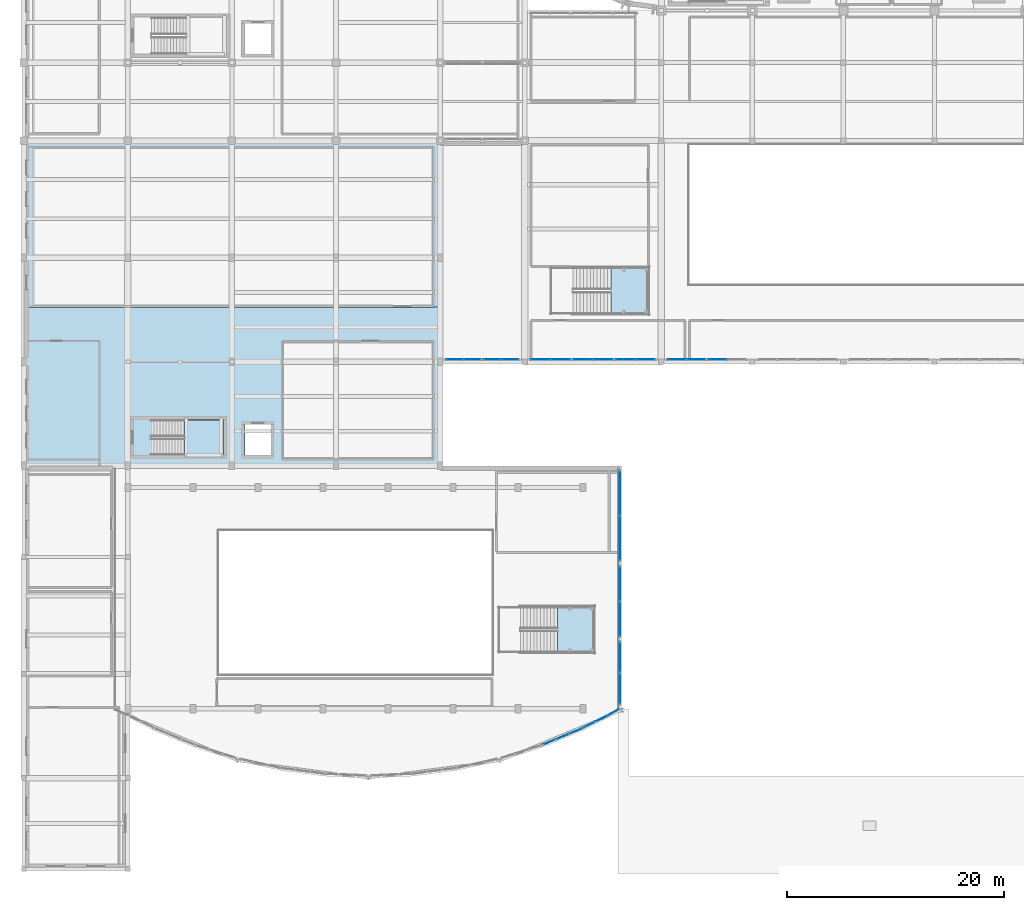
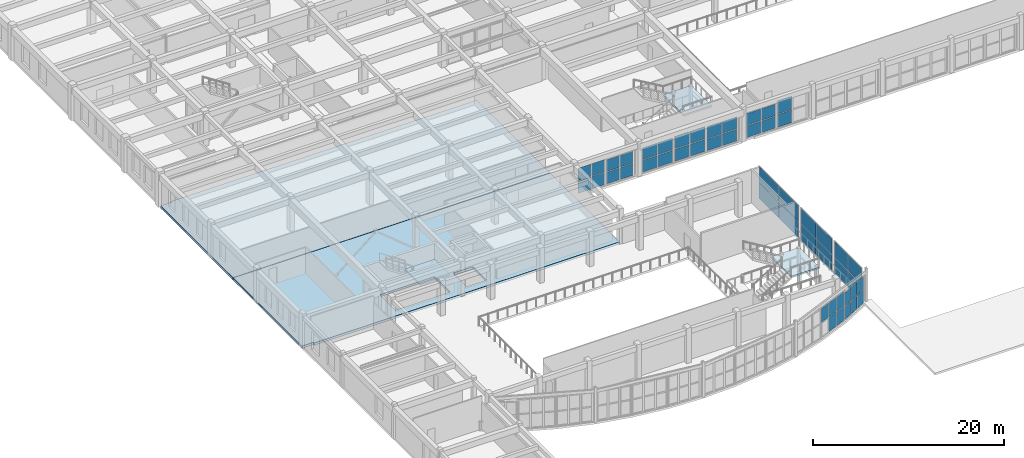
# One storey, part 54 of 92: 49 plates, 5 slabs, 15 elements without a shape of their own.
"""IFC4 building model written with IfcOpenShell, lengths in metres."""

from ifc_helpers import new_model, si_unit, direction, frame, origin, origin_2d, place, context, subcontext, project, spatial, polyline, rectangle, outline, extrude, material, layer, layer_set, type_object, element, aggregate, save


model = new_model("IFC4")

# Units and contexts
model_context = context("Model", 3, precision=1e-05, world=origin(), true_north=direction((0.0, 1.0)))
body_context = subcontext(model_context, "Body", "Model", "MODEL_VIEW")
ifc_project = project(units=[si_unit("LENGTHUNIT", "METRE"), si_unit("AREAUNIT", "SQUARE_METRE"), si_unit("VOLUMEUNIT", "CUBIC_METRE"), si_unit("PLANEANGLEUNIT", "RADIAN"), si_unit("MASSUNIT", "GRAM", prefix="KILO")], contexts=[model_context])

# Site, building, storey
site_placement = place(None, origin())
site = spatial("IfcSite", under=ifc_project, at=site_placement, CompositionType="ELEMENT")
building_placement = place(site_placement, origin())
building = spatial("IfcBuilding", under=site, at=building_placement, Name="Tarnavel Promenade Courthouse", CompositionType="ELEMENT")
storey_placement = place(building_placement, frame((0.0, 0.0, 5.39990234375)))
storey = spatial("IfcBuildingStorey", under=building, at=storey_placement, Name="L02", CompositionType="ELEMENT", Elevation=5.39990234375)

# Stair, slab
ifc_material_1 = material(Name="Concrete C35/45", Category="concrete")
stair_type_1 = type_object("IfcStairType", Name="Concrete C35/45 Half-Turn Stair STR-21 (2000W-310G-24R)", PredefinedType="HALF_TURN_STAIR", material=ifc_material_1)
stair_1_placement = place(storey_placement, origin())
stair_1 = element("IfcStair", 1, at=stair_1_placement, inside=storey, type_object=stair_type_1, Name="L02 Public Hall Gallery Stair", PredefinedType="HALF_TURN_STAIR")
ifc_layer_1 = layer(ifc_material_1, 0.195068359375)
ifc_layer_set_1 = layer_set([ifc_layer_1], Name="Concrete C35/45")
slab_type_1 = type_object("IfcSlabType", Name="Concrete C35/45 Stair Landing SLB-LND-195 (195 mm)", PredefinedType="LANDING", material=ifc_layer_set_1)
slab_1_placement = place(storey_placement, frame((0.0, 0.0, 2.050048828125)))
slab_1 = element("IfcSlab", 2, at=slab_1_placement, type_object=slab_type_1, Name="ST-09 landing 1", PredefinedType="LANDING", context=body_context, shape_type="SweptSolid", body=[
    extrude(outline(polyline([(49.2099609375, 20.0), (52.60009765625, 20.0), (52.60009765625, 24.199951171875), (49.2099609375, 24.199951171875), (49.2099609375, 20.0)])), origin(), (0.0, 0.0, 1.0), 0.199951171875),
])
aggregate(stair_1, [slab_1])

stair_type_2 = type_object("IfcStairType", Name="Concrete C35/45 Half-Turn Stair STR-23 (2050W-320G-24R)", PredefinedType="HALF_TURN_STAIR", material=ifc_material_1)
stair_2_placement = place(storey_placement, origin())
stair_2 = element("IfcStair", 3, at=stair_2_placement, inside=storey, type_object=stair_type_2, Name="L02 Winter-Garden Concourse Monumental Stair", PredefinedType="HALF_TURN_STAIR")
slab_2_placement = place(storey_placement, frame((0.0, 0.0, 2.050048828125)))
slab_2 = element("IfcSlab", 4, at=slab_2_placement, type_object=slab_type_1, Name="ST-10 landing 1", PredefinedType="LANDING", context=body_context, shape_type="SweptSolid", body=[
    extrude(outline(polyline([(54.169921875, 51.199951171875), (57.60009765625, 51.199951171875), (57.60009765625, 55.5), (54.169921875, 55.5), (54.169921875, 51.199951171875)])), origin(), (0.0, 0.0, 1.0), 0.199951171875),
])
aggregate(stair_2, [slab_2])

stair_type_3 = type_object("IfcStairType", Name="Concrete C35/45 Half-Turn Stair STR-14 (1520W-280G-24R)", PredefinedType="HALF_TURN_STAIR", material=ifc_material_1)
stair_3_placement = place(storey_placement, origin())
stair_3 = element("IfcStair", 5, at=stair_3_placement, inside=storey, type_object=stair_type_3, Name="L02 Law Library Exit Stair", PredefinedType="HALF_TURN_STAIR")
ifc_layer_2 = layer(ifc_material_1, 0.205078125)
ifc_layer_set_2 = layer_set([ifc_layer_2], Name="Concrete C35/45")
slab_type_2 = type_object("IfcSlabType", Name="Concrete C35/45 Stair Landing SLB-LND-205 (205 mm)", PredefinedType="LANDING", material=ifc_layer_set_2)
slab_3_placement = place(storey_placement, frame((0.0, 0.0, 2.050048828125)))
slab_3 = element("IfcSlab", 6, at=slab_3_placement, type_object=slab_type_2, Name="ST-05 landing 1", PredefinedType="LANDING", context=body_context, shape_type="SweptSolid", body=[
    extrude(outline(polyline([(14.800048828125, 38.199951171875), (18.39990234375, 38.199951171875), (18.39990234375, 41.43994140625), (14.800048828125, 41.43994140625), (14.800048828125, 38.199951171875)])), origin(), (0.0, 0.0, 1.0), 0.199951171875),
])
aggregate(stair_3, [slab_3])

# Slabs
ifc_material_2 = material(Name="Concrete C40/50", Category="concrete")
ifc_layer_3 = layer(ifc_material_2, 0.300048828125)
ifc_layer_set_3 = layer_set([ifc_layer_3], Name="Concrete C40/50")
slab_type_3 = type_object("IfcSlabType", Name="Concrete C40/50 SLB-STK-300 (300 mm)", PredefinedType="FLOOR", material=ifc_layer_set_3)
slab_4_placement = place(storey_placement, frame((0.0, 0.0, -0.2998046875)))
element("IfcSlab", 7, at=slab_4_placement, inside=storey, type_object=slab_type_3, Name="L02 Law Library S Heavy Stack Slab", PredefinedType="FLOOR", context=body_context, shape_type="SweptSolid", body=[
    extrude(outline(polyline([(0.0, 37.39990234375), (1.39990234375, 37.39990234375), (1.39990234375, 37.239990234375), (38.3798828125, 37.239990234375), (38.3798828125, 51.800048828125), (0.0, 51.800048828125), (0.0, 37.39990234375)]), holes=[polyline([(11.764892578125, 38.199951171875), (18.39990234375, 38.199951171875), (18.39990234375, 41.43994140625), (11.764892578125, 41.43994140625), (11.764892578125, 38.199951171875)]), polyline([(20.39990234375, 38.199951171875), (22.800048828125, 38.199951171875), (22.800048828125, 41.0), (20.39990234375, 41.0), (20.39990234375, 38.199951171875)])]), origin(), (0.0, 0.0, 1.0), 0.2998046875),
])
slab_5_placement = place(storey_placement, frame((0.0, 0.0, -0.2998046875)))
element("IfcSlab", 8, at=slab_5_placement, inside=storey, type_object=slab_type_3, Name="L02 Law Library N Heavy Stack Slab", PredefinedType="FLOOR", context=body_context, shape_type="SweptSolid", body=[
    extrude(outline(polyline([(0.0, 51.840087890625), (38.3798828125, 51.840087890625), (38.3798828125, 67.179931640625), (1.39990234375, 67.179931640625), (1.39990234375, 67.02001953125), (0.0, 67.02001953125), (0.0, 51.840087890625)])), origin(), (0.0, 0.0, 1.0), 0.2998046875),
])

# Curtain wall, plates
ifc_material_3 = material(Name="Thermally Broken Anodised Aluminium Curtain Wall System", Category="aluminium")
ifc_layer_4 = layer(ifc_material_3, 0.219970703125)
ifc_layer_set_4 = layer_set([ifc_layer_4], Name="Thermally Broken Anodised Aluminium Curtain Wall System")
curtain_wall_type_1 = type_object("IfcCurtainWallType", Name="Thermally Broken Aluminium Triple-Glazed Curtain Wall CW-DRUM", PredefinedType="NOTDEFINED", material=ifc_layer_set_4)
curtain_wall_1_placement = place(storey_placement, origin())
curtain_wall_1 = element("IfcCurtainWall", 9, at=curtain_wall_1_placement, inside=storey, type_object=curtain_wall_type_1, Name="L02 Public Hall Drum Curtain Wall 022", PredefinedType="NOTDEFINED")
ifc_material_4 = material(Name="Triple Low-E Argon Insulated Glazing", Category="glass")
ifc_layer_5 = layer(ifc_material_4, 0.048095703125)
ifc_layer_set_5 = layer_set([ifc_layer_5], Name="Triple Low-E Argon Insulated Glazing")
plate_type_1 = type_object("IfcPlateType", Name="Triple Low-E Argon Insulated Glazing Unit CWP-48 (48 mm)", PredefinedType="CURTAIN_PANEL", material=ifc_layer_set_5)
plate_1_placement = place(storey_placement, frame((48.4560546875, 11.71142578125, 1.9501953125), z_axis=(0.0, 0.0, 1.0), x_axis=(0.923878974593, 0.382684779296, 0.0)))
plate_1 = element("IfcPlate", 10, at=plate_1_placement, type_object=plate_type_1, Name="CW-01 panel 1.2", PredefinedType="CURTAIN_PANEL", context=body_context, shape_type="SweptSolid", body=[
    extrude(rectangle(XDim=1.225830078125, YDim=0.048095703125, at=origin_2d()), origin(), (0.0, 0.0, 1.0), 1.7900390625),
])
plate_2_placement = place(storey_placement, frame((49.692626953125, 12.2236328125, 0.080078125), z_axis=(0.0, 0.0, 1.0), x_axis=(0.923878974593, 0.382684779296, 0.0)))
plate_2 = element("IfcPlate", 11, at=plate_2_placement, type_object=plate_type_1, Name="CW-01 panel 2.1", PredefinedType="CURTAIN_PANEL", context=body_context, shape_type="SweptSolid", body=[
    extrude(rectangle(XDim=1.27099609375, YDim=0.048095703125, at=origin_2d()), origin(), (0.0, 0.0, 1.0), 1.7900390625),
])
plate_3_placement = place(storey_placement, frame((49.692626953125, 12.2236328125, 1.9501953125), z_axis=(0.0, 0.0, 1.0), x_axis=(0.923878974593, 0.382684779296, 0.0)))
plate_3 = element("IfcPlate", 12, at=plate_3_placement, type_object=plate_type_1, Name="CW-01 panel 2.2", PredefinedType="CURTAIN_PANEL", context=body_context, shape_type="SweptSolid", body=[
    extrude(rectangle(XDim=1.27099609375, YDim=0.048095703125, at=origin_2d()), origin(), (0.0, 0.0, 1.0), 1.7900390625),
])
plate_4_placement = place(storey_placement, frame((50.92919921875, 12.73583984375, 0.080078125), z_axis=(0.0, 0.0, 1.0), x_axis=(0.923878974593, 0.382684779296, 0.0)))
plate_4 = element("IfcPlate", 13, at=plate_4_placement, type_object=plate_type_1, Name="CW-01 panel 3.1", PredefinedType="CURTAIN_PANEL", context=body_context, shape_type="SweptSolid", body=[
    extrude(rectangle(XDim=1.225830078125, YDim=0.048095703125, at=origin_2d()), origin(), (0.0, 0.0, 1.0), 1.7900390625),
])
plate_5_placement = place(storey_placement, frame((50.92919921875, 12.73583984375, 1.9501953125), z_axis=(0.0, 0.0, 1.0), x_axis=(0.923878974593, 0.382684779296, 0.0)))
plate_5 = element("IfcPlate", 14, at=plate_5_placement, type_object=plate_type_1, Name="CW-01 panel 3.2", PredefinedType="CURTAIN_PANEL", context=body_context, shape_type="SweptSolid", body=[
    extrude(rectangle(XDim=1.225830078125, YDim=0.048095703125, at=origin_2d()), origin(), (0.0, 0.0, 1.0), 1.7900390625),
])
aggregate(curtain_wall_1, [plate_1, plate_2, plate_3, plate_4, plate_5])

curtain_wall_2_placement = place(storey_placement, origin())
curtain_wall_2 = element("IfcCurtainWall", 15, at=curtain_wall_2_placement, inside=storey, type_object=curtain_wall_type_1, Name="L02 Public Hall Drum Curtain Wall 023", PredefinedType="NOTDEFINED")
plate_6_placement = place(storey_placement, frame((52.157470703125, 13.30615234375, 0.080078125), z_axis=(0.0, 0.0, 1.0), x_axis=(0.887011467842, 0.461747394054, 0.0)))
plate_6 = element("IfcPlate", 16, at=plate_6_placement, type_object=plate_type_1, Name="CW-01 panel 1.1", PredefinedType="CURTAIN_PANEL", context=body_context, shape_type="SweptSolid", body=[
    extrude(rectangle(XDim=1.12548828125, YDim=0.048095703125, at=origin_2d()), origin(), (0.0, 0.0, 1.0), 1.6650390625),
])
plate_7_placement = place(storey_placement, frame((52.157470703125, 13.30615234375, 1.8251953125), z_axis=(0.0, 0.0, 1.0), x_axis=(0.887011467842, 0.461747394054, 0.0)))
plate_7 = element("IfcPlate", 17, at=plate_7_placement, type_object=plate_type_1, Name="CW-01 panel 1.2", PredefinedType="CURTAIN_PANEL", context=body_context, shape_type="SweptSolid", body=[
    extrude(rectangle(XDim=1.12548828125, YDim=0.048095703125, at=origin_2d()), origin(), (0.0, 0.0, 1.0), 1.6650390625),
])
plate_8_placement = place(storey_placement, frame((53.255615234375, 13.877685546875, 0.080078125), z_axis=(0.0, 0.0, 1.0), x_axis=(0.887011467842, 0.461747394054, 0.0)))
plate_8 = element("IfcPlate", 18, at=plate_8_placement, type_object=plate_type_1, Name="CW-01 panel 2.1", PredefinedType="CURTAIN_PANEL", context=body_context, shape_type="SweptSolid", body=[
    extrude(rectangle(XDim=1.17041015625, YDim=0.048095703125, at=origin_2d()), origin(), (0.0, 0.0, 1.0), 1.6650390625),
])
plate_9_placement = place(storey_placement, frame((53.255615234375, 13.877685546875, 1.8251953125), z_axis=(0.0, 0.0, 1.0), x_axis=(0.887011467842, 0.461747394054, 0.0)))
plate_9 = element("IfcPlate", 19, at=plate_9_placement, type_object=plate_type_1, Name="CW-01 panel 2.2", PredefinedType="CURTAIN_PANEL", context=body_context, shape_type="SweptSolid", body=[
    extrude(rectangle(XDim=1.17041015625, YDim=0.048095703125, at=origin_2d()), origin(), (0.0, 0.0, 1.0), 1.6650390625),
])
plate_10_placement = place(storey_placement, frame((54.353515625, 14.449462890625, 0.080078125), z_axis=(0.0, 0.0, 1.0), x_axis=(0.887011467842, 0.461747394054, 0.0)))
plate_10 = element("IfcPlate", 20, at=plate_10_placement, type_object=plate_type_1, Name="CW-01 panel 3.1", PredefinedType="CURTAIN_PANEL", context=body_context, shape_type="SweptSolid", body=[
    extrude(rectangle(XDim=1.12548828125, YDim=0.048095703125, at=origin_2d()), origin(), (0.0, 0.0, 1.0), 1.6650390625),
])
plate_11_placement = place(storey_placement, frame((54.353515625, 14.449462890625, 1.8251953125), z_axis=(0.0, 0.0, 1.0), x_axis=(0.887011467842, 0.461747394054, 0.0)))
plate_11 = element("IfcPlate", 21, at=plate_11_placement, type_object=plate_type_1, Name="CW-01 panel 3.2", PredefinedType="CURTAIN_PANEL", context=body_context, shape_type="SweptSolid", body=[
    extrude(rectangle(XDim=1.12548828125, YDim=0.048095703125, at=origin_2d()), origin(), (0.0, 0.0, 1.0), 1.6650390625),
])
aggregate(curtain_wall_2, [plate_6, plate_7, plate_8, plate_9, plate_10, plate_11])

curtain_wall_3_placement = place(storey_placement, origin())
curtain_wall_3 = element("IfcCurtainWall", 22, at=curtain_wall_3_placement, inside=storey, type_object=curtain_wall_type_1, Name="L02 Public Drum East Return Curtain Wall 024", PredefinedType="NOTDEFINED")
plate_12_placement = place(storey_placement, frame((54.97998046875, 16.64990234375, 0.080078125), z_axis=(0.0, 0.0, 1.0), x_axis=(0.0, 1.0, 0.0)))
plate_12 = element("IfcPlate", 23, at=plate_12_placement, type_object=plate_type_1, Name="CW-01 panel 1.1", PredefinedType="CURTAIN_PANEL", context=body_context, shape_type="SweptSolid", body=[
    extrude(rectangle(XDim=2.780029296875, YDim=0.048095703125, at=origin_2d()), origin(), (0.0, 0.0, 1.0), 1.989990234375),
])
plate_13_placement = place(storey_placement, frame((54.97998046875, 16.64990234375, 2.14990234375), z_axis=(0.0, 0.0, 1.0), x_axis=(0.0, 1.0, 0.0)))
plate_13 = element("IfcPlate", 24, at=plate_13_placement, type_object=plate_type_1, Name="CW-01 panel 1.2", PredefinedType="CURTAIN_PANEL", context=body_context, shape_type="SweptSolid", body=[
    extrude(rectangle(XDim=2.780029296875, YDim=0.048095703125, at=origin_2d()), origin(), (0.0, 0.0, 1.0), 1.989990234375),
])
plate_14_placement = place(storey_placement, frame((54.97998046875, 19.52001953125, 0.080078125), z_axis=(0.0, 0.0, 1.0), x_axis=(0.0, 1.0, 0.0)))
plate_14 = element("IfcPlate", 25, at=plate_14_placement, type_object=plate_type_1, Name="CW-01 panel 2.1", PredefinedType="CURTAIN_PANEL", context=body_context, shape_type="SweptSolid", body=[
    extrude(rectangle(XDim=2.780029296875, YDim=0.048095703125, at=origin_2d()), origin(), (0.0, 0.0, 1.0), 1.989990234375),
])
plate_15_placement = place(storey_placement, frame((54.97998046875, 19.52001953125, 2.14990234375), z_axis=(0.0, 0.0, 1.0), x_axis=(0.0, 1.0, 0.0)))
plate_15 = element("IfcPlate", 26, at=plate_15_placement, type_object=plate_type_1, Name="CW-01 panel 2.2", PredefinedType="CURTAIN_PANEL", context=body_context, shape_type="SweptSolid", body=[
    extrude(rectangle(XDim=2.780029296875, YDim=0.048095703125, at=origin_2d()), origin(), (0.0, 0.0, 1.0), 1.989990234375),
])
aggregate(curtain_wall_3, [plate_12, plate_13, plate_14, plate_15])

curtain_wall_4_placement = place(storey_placement, origin())
curtain_wall_4 = element("IfcCurtainWall", 27, at=curtain_wall_4_placement, inside=storey, type_object=curtain_wall_type_1, Name="L02 Public Drum East Return Curtain Wall 025", PredefinedType="NOTDEFINED")
plate_16_placement = place(storey_placement, frame((54.97998046875, 23.072509765625, 0.080078125), z_axis=(0.0, 0.0, 1.0), x_axis=(0.0, 1.0, 0.0)))
plate_16 = element("IfcPlate", 28, at=plate_16_placement, type_object=plate_type_1, Name="CW-01 panel 1.1", PredefinedType="CURTAIN_PANEL", context=body_context, shape_type="SweptSolid", body=[
    extrude(rectangle(XDim=3.1650390625, YDim=0.048095703125, at=origin_2d()), origin(), (0.0, 0.0, 1.0), 1.989990234375),
])
plate_17_placement = place(storey_placement, frame((54.97998046875, 23.072509765625, 2.14990234375), z_axis=(0.0, 0.0, 1.0), x_axis=(0.0, 1.0, 0.0)))
plate_17 = element("IfcPlate", 29, at=plate_17_placement, type_object=plate_type_1, Name="CW-01 panel 1.2", PredefinedType="CURTAIN_PANEL", context=body_context, shape_type="SweptSolid", body=[
    extrude(rectangle(XDim=3.1650390625, YDim=0.048095703125, at=origin_2d()), origin(), (0.0, 0.0, 1.0), 1.989990234375),
])
plate_18_placement = place(storey_placement, frame((54.97998046875, 26.327392578125, 0.080078125), z_axis=(0.0, 0.0, 1.0), x_axis=(0.0, 1.0, 0.0)))
plate_18 = element("IfcPlate", 30, at=plate_18_placement, type_object=plate_type_1, Name="CW-01 panel 2.1", PredefinedType="CURTAIN_PANEL", context=body_context, shape_type="SweptSolid", body=[
    extrude(rectangle(XDim=3.1650390625, YDim=0.048095703125, at=origin_2d()), origin(), (0.0, 0.0, 1.0), 1.989990234375),
])
plate_19_placement = place(storey_placement, frame((54.97998046875, 26.327392578125, 2.14990234375), z_axis=(0.0, 0.0, 1.0), x_axis=(0.0, 1.0, 0.0)))
plate_19 = element("IfcPlate", 31, at=plate_19_placement, type_object=plate_type_1, Name="CW-01 panel 2.2", PredefinedType="CURTAIN_PANEL", context=body_context, shape_type="SweptSolid", body=[
    extrude(rectangle(XDim=3.1650390625, YDim=0.048095703125, at=origin_2d()), origin(), (0.0, 0.0, 1.0), 1.989990234375),
])
aggregate(curtain_wall_4, [plate_16, plate_17, plate_18, plate_19])

curtain_wall_5_placement = place(storey_placement, origin())
curtain_wall_5 = element("IfcCurtainWall", 32, at=curtain_wall_5_placement, inside=storey, type_object=curtain_wall_type_1, Name="L02 Public Drum East Return Curtain Wall 026", PredefinedType="NOTDEFINED")
plate_20_placement = place(storey_placement, frame((54.97998046875, 30.5224609375, 0.080078125), z_axis=(0.0, 0.0, 1.0), x_axis=(0.0, 1.0, 0.0)))
plate_20 = element("IfcPlate", 33, at=plate_20_placement, type_object=plate_type_1, Name="CW-01 panel 1.1", PredefinedType="CURTAIN_PANEL", context=body_context, shape_type="SweptSolid", body=[
    extrude(rectangle(XDim=4.06494140625, YDim=0.048095703125, at=origin_2d()), origin(), (0.0, 0.0, 1.0), 1.989990234375),
])
plate_21_placement = place(storey_placement, frame((54.97998046875, 30.5224609375, 2.14990234375), z_axis=(0.0, 0.0, 1.0), x_axis=(0.0, 1.0, 0.0)))
plate_21 = element("IfcPlate", 34, at=plate_21_placement, type_object=plate_type_1, Name="CW-01 panel 1.2", PredefinedType="CURTAIN_PANEL", context=body_context, shape_type="SweptSolid", body=[
    extrude(rectangle(XDim=4.06494140625, YDim=0.048095703125, at=origin_2d()), origin(), (0.0, 0.0, 1.0), 1.989990234375),
])
plate_22_placement = place(storey_placement, frame((54.97998046875, 34.677490234375, 0.080078125), z_axis=(0.0, 0.0, 1.0), x_axis=(0.0, 1.0, 0.0)))
plate_22 = element("IfcPlate", 35, at=plate_22_placement, type_object=plate_type_1, Name="CW-01 panel 2.1", PredefinedType="CURTAIN_PANEL", context=body_context, shape_type="SweptSolid", body=[
    extrude(rectangle(XDim=4.06494140625, YDim=0.048095703125, at=origin_2d()), origin(), (0.0, 0.0, 1.0), 1.989990234375),
])
plate_23_placement = place(storey_placement, frame((54.97998046875, 34.677490234375, 2.14990234375), z_axis=(0.0, 0.0, 1.0), x_axis=(0.0, 1.0, 0.0)))
plate_23 = element("IfcPlate", 36, at=plate_23_placement, type_object=plate_type_1, Name="CW-01 panel 2.2", PredefinedType="CURTAIN_PANEL", context=body_context, shape_type="SweptSolid", body=[
    extrude(rectangle(XDim=4.06494140625, YDim=0.048095703125, at=origin_2d()), origin(), (0.0, 0.0, 1.0), 1.989990234375),
])
aggregate(curtain_wall_5, [plate_20, plate_21, plate_22, plate_23])

ifc_layer_6 = layer(ifc_material_3, 0.239990234375)
ifc_layer_set_6 = layer_set([ifc_layer_6], Name="Thermally Broken Anodised Aluminium Curtain Wall System")
curtain_wall_type_2 = type_object("IfcCurtainWallType", Name="Thermally Broken Aluminium Triple-Glazed Curtain Wall CW-WG-S", PredefinedType="NOTDEFINED", material=ifc_layer_set_6)
curtain_wall_6_placement = place(storey_placement, origin())
curtain_wall_6 = element("IfcCurtainWall", 37, at=curtain_wall_6_placement, inside=storey, type_object=curtain_wall_type_2, Name="L02 Winter-Garden South Solar Curtain Wall 062", PredefinedType="NOTDEFINED")
ifc_layer_7 = layer(ifc_material_4, 0.053955078125)
ifc_layer_set_7 = layer_set([ifc_layer_7], Name="Triple Low-E Argon Insulated Glazing")
plate_type_2 = type_object("IfcPlateType", Name="Triple Low-E Argon Insulated Glazing Unit CWP-54 (54 mm)", PredefinedType="CURTAIN_PANEL", material=ifc_layer_set_7)
plate_24_placement = place(storey_placement, frame((39.7548828125, 47.0, 0.080078125), z_axis=(0.0, 0.0, 1.0), x_axis=(1.0, 0.0, 0.0)))
plate_24 = element("IfcPlate", 38, at=plate_24_placement, type_object=plate_type_2, Name="CW-02 panel 1.1", PredefinedType="CURTAIN_PANEL", context=body_context, shape_type="SweptSolid", body=[
    extrude(rectangle(XDim=1.550048828125, YDim=0.053955078125, at=origin_2d()), origin(), (0.0, 0.0, 1.0), 1.570068359375),
])
plate_25_placement = place(storey_placement, frame((39.7548828125, 47.0, 1.72998046875), z_axis=(0.0, 0.0, 1.0), x_axis=(1.0, 0.0, 0.0)))
plate_25 = element("IfcPlate", 39, at=plate_25_placement, type_object=plate_type_2, Name="CW-02 panel 1.2", PredefinedType="CURTAIN_PANEL", context=body_context, shape_type="SweptSolid", body=[
    extrude(rectangle(XDim=1.550048828125, YDim=0.053955078125, at=origin_2d()), origin(), (0.0, 0.0, 1.0), 1.570068359375),
])
plate_26_placement = place(storey_placement, frame((41.39501953125, 47.0, 0.080078125), z_axis=(0.0, 0.0, 1.0), x_axis=(1.0, 0.0, 0.0)))
plate_26 = element("IfcPlate", 40, at=plate_26_placement, type_object=plate_type_2, Name="CW-02 panel 2.1", PredefinedType="CURTAIN_PANEL", context=body_context, shape_type="SweptSolid", body=[
    extrude(rectangle(XDim=1.550048828125, YDim=0.053955078125, at=origin_2d()), origin(), (0.0, 0.0, 1.0), 1.570068359375),
])
plate_27_placement = place(storey_placement, frame((41.39501953125, 47.0, 1.72998046875), z_axis=(0.0, 0.0, 1.0), x_axis=(1.0, 0.0, 0.0)))
plate_27 = element("IfcPlate", 41, at=plate_27_placement, type_object=plate_type_2, Name="CW-02 panel 2.2", PredefinedType="CURTAIN_PANEL", context=body_context, shape_type="SweptSolid", body=[
    extrude(rectangle(XDim=1.550048828125, YDim=0.053955078125, at=origin_2d()), origin(), (0.0, 0.0, 1.0), 1.570068359375),
])
aggregate(curtain_wall_6, [plate_24, plate_25, plate_26, plate_27])

curtain_wall_7_placement = place(storey_placement, origin())
curtain_wall_7 = element("IfcCurtainWall", 42, at=curtain_wall_7_placement, inside=storey, type_object=curtain_wall_type_2, Name="L02 Winter-Garden South Solar Curtain Wall 063", PredefinedType="NOTDEFINED")
plate_28_placement = place(storey_placement, frame((43.205078125, 47.0, 0.080078125), z_axis=(0.0, 0.0, 1.0), x_axis=(1.0, 0.0, 0.0)))
plate_28 = element("IfcPlate", 43, at=plate_28_placement, type_object=plate_type_2, Name="CW-02 panel 1.1", PredefinedType="CURTAIN_PANEL", context=body_context, shape_type="SweptSolid", body=[
    extrude(rectangle(XDim=1.550048828125, YDim=0.053955078125, at=origin_2d()), origin(), (0.0, 0.0, 1.0), 1.4951171875),
])
plate_29_placement = place(storey_placement, frame((43.205078125, 47.0, 1.655029296875), z_axis=(0.0, 0.0, 1.0), x_axis=(1.0, 0.0, 0.0)))
plate_29 = element("IfcPlate", 44, at=plate_29_placement, type_object=plate_type_2, Name="CW-02 panel 1.2", PredefinedType="CURTAIN_PANEL", context=body_context, shape_type="SweptSolid", body=[
    extrude(rectangle(XDim=1.550048828125, YDim=0.053955078125, at=origin_2d()), origin(), (0.0, 0.0, 1.0), 1.4951171875),
])
plate_30_placement = place(storey_placement, frame((44.844970703125, 47.0, 0.080078125), z_axis=(0.0, 0.0, 1.0), x_axis=(1.0, 0.0, 0.0)))
plate_30 = element("IfcPlate", 45, at=plate_30_placement, type_object=plate_type_2, Name="CW-02 panel 2.1", PredefinedType="CURTAIN_PANEL", context=body_context, shape_type="SweptSolid", body=[
    extrude(rectangle(XDim=1.550048828125, YDim=0.053955078125, at=origin_2d()), origin(), (0.0, 0.0, 1.0), 1.4951171875),
])
plate_31_placement = place(storey_placement, frame((44.844970703125, 47.0, 1.655029296875), z_axis=(0.0, 0.0, 1.0), x_axis=(1.0, 0.0, 0.0)))
plate_31 = element("IfcPlate", 46, at=plate_31_placement, type_object=plate_type_2, Name="CW-02 panel 2.2", PredefinedType="CURTAIN_PANEL", context=body_context, shape_type="SweptSolid", body=[
    extrude(rectangle(XDim=1.550048828125, YDim=0.053955078125, at=origin_2d()), origin(), (0.0, 0.0, 1.0), 1.4951171875),
])
aggregate(curtain_wall_7, [plate_28, plate_29, plate_30, plate_31])

curtain_wall_8_placement = place(storey_placement, origin())
curtain_wall_8 = element("IfcCurtainWall", 47, at=curtain_wall_8_placement, inside=storey, type_object=curtain_wall_type_2, Name="L02 Winter-Garden South Solar Curtain Wall 064", PredefinedType="NOTDEFINED")
plate_32_placement = place(storey_placement, frame((47.66748046875, 47.0, 0.080078125), z_axis=(0.0, 0.0, 1.0), x_axis=(1.0, 0.0, 0.0)))
plate_32 = element("IfcPlate", 48, at=plate_32_placement, type_object=plate_type_2, Name="CW-02 panel 1.1", PredefinedType="CURTAIN_PANEL", context=body_context, shape_type="SweptSolid", body=[
    extrude(rectangle(XDim=1.77490234375, YDim=0.053955078125, at=origin_2d()), origin(), (0.0, 0.0, 1.0), 1.4951171875),
])
plate_33_placement = place(storey_placement, frame((47.66748046875, 47.0, 1.655029296875), z_axis=(0.0, 0.0, 1.0), x_axis=(1.0, 0.0, 0.0)))
plate_33 = element("IfcPlate", 49, at=plate_33_placement, type_object=plate_type_2, Name="CW-02 panel 1.2", PredefinedType="CURTAIN_PANEL", context=body_context, shape_type="SweptSolid", body=[
    extrude(rectangle(XDim=1.77490234375, YDim=0.053955078125, at=origin_2d()), origin(), (0.0, 0.0, 1.0), 1.4951171875),
])
plate_34_placement = place(storey_placement, frame((49.532470703125, 47.0, 0.080078125), z_axis=(0.0, 0.0, 1.0), x_axis=(1.0, 0.0, 0.0)))
plate_34 = element("IfcPlate", 50, at=plate_34_placement, type_object=plate_type_2, Name="CW-02 panel 2.1", PredefinedType="CURTAIN_PANEL", context=body_context, shape_type="SweptSolid", body=[
    extrude(rectangle(XDim=1.77490234375, YDim=0.053955078125, at=origin_2d()), origin(), (0.0, 0.0, 1.0), 1.4951171875),
])
plate_35_placement = place(storey_placement, frame((49.532470703125, 47.0, 1.655029296875), z_axis=(0.0, 0.0, 1.0), x_axis=(1.0, 0.0, 0.0)))
plate_35 = element("IfcPlate", 51, at=plate_35_placement, type_object=plate_type_2, Name="CW-02 panel 2.2", PredefinedType="CURTAIN_PANEL", context=body_context, shape_type="SweptSolid", body=[
    extrude(rectangle(XDim=1.77490234375, YDim=0.053955078125, at=origin_2d()), origin(), (0.0, 0.0, 1.0), 1.4951171875),
])
aggregate(curtain_wall_8, [plate_32, plate_33, plate_34, plate_35])

curtain_wall_9_placement = place(storey_placement, origin())
curtain_wall_9 = element("IfcCurtainWall", 52, at=curtain_wall_9_placement, inside=storey, type_object=curtain_wall_type_2, Name="L02 Winter-Garden South Solar Curtain Wall 065", PredefinedType="NOTDEFINED")
plate_36_placement = place(storey_placement, frame((51.5673828125, 47.0, 0.080078125), z_axis=(0.0, 0.0, 1.0), x_axis=(1.0, 0.0, 0.0)))
plate_36 = element("IfcPlate", 53, at=plate_36_placement, type_object=plate_type_2, Name="CW-02 panel 1.1", PredefinedType="CURTAIN_PANEL", context=body_context, shape_type="SweptSolid", body=[
    extrude(rectangle(XDim=1.77490234375, YDim=0.053955078125, at=origin_2d()), origin(), (0.0, 0.0, 1.0), 1.544921875),
])
plate_37_placement = place(storey_placement, frame((51.5673828125, 47.0, 1.705078125), z_axis=(0.0, 0.0, 1.0), x_axis=(1.0, 0.0, 0.0)))
plate_37 = element("IfcPlate", 54, at=plate_37_placement, type_object=plate_type_2, Name="CW-02 panel 1.2", PredefinedType="CURTAIN_PANEL", context=body_context, shape_type="SweptSolid", body=[
    extrude(rectangle(XDim=1.77490234375, YDim=0.053955078125, at=origin_2d()), origin(), (0.0, 0.0, 1.0), 1.544921875),
])
plate_38_placement = place(storey_placement, frame((53.4326171875, 47.0, 0.080078125), z_axis=(0.0, 0.0, 1.0), x_axis=(1.0, 0.0, 0.0)))
plate_38 = element("IfcPlate", 55, at=plate_38_placement, type_object=plate_type_2, Name="CW-02 panel 2.1", PredefinedType="CURTAIN_PANEL", context=body_context, shape_type="SweptSolid", body=[
    extrude(rectangle(XDim=1.77490234375, YDim=0.053955078125, at=origin_2d()), origin(), (0.0, 0.0, 1.0), 1.544921875),
])
plate_39_placement = place(storey_placement, frame((53.4326171875, 47.0, 1.705078125), z_axis=(0.0, 0.0, 1.0), x_axis=(1.0, 0.0, 0.0)))
plate_39 = element("IfcPlate", 56, at=plate_39_placement, type_object=plate_type_2, Name="CW-02 panel 2.2", PredefinedType="CURTAIN_PANEL", context=body_context, shape_type="SweptSolid", body=[
    extrude(rectangle(XDim=1.77490234375, YDim=0.053955078125, at=origin_2d()), origin(), (0.0, 0.0, 1.0), 1.544921875),
])
aggregate(curtain_wall_9, [plate_36, plate_37, plate_38, plate_39])

curtain_wall_10_placement = place(storey_placement, origin())
curtain_wall_10 = element("IfcCurtainWall", 57, at=curtain_wall_10_placement, inside=storey, type_object=curtain_wall_type_2, Name="L02 Winter-Garden South Solar Curtain Wall 066", PredefinedType="NOTDEFINED")
plate_40_placement = place(storey_placement, frame((55.467529296875, 47.0, 0.080078125), z_axis=(0.0, 0.0, 1.0), x_axis=(1.0, 0.0, 0.0)))
plate_40 = element("IfcPlate", 58, at=plate_40_placement, type_object=plate_type_2, Name="CW-02 panel 1.1", PredefinedType="CURTAIN_PANEL", context=body_context, shape_type="SweptSolid", body=[
    extrude(rectangle(XDim=1.77490234375, YDim=0.053955078125, at=origin_2d()), origin(), (0.0, 0.0, 1.0), 1.4951171875),
])
plate_41_placement = place(storey_placement, frame((55.467529296875, 47.0, 1.655029296875), z_axis=(0.0, 0.0, 1.0), x_axis=(1.0, 0.0, 0.0)))
plate_41 = element("IfcPlate", 59, at=plate_41_placement, type_object=plate_type_2, Name="CW-02 panel 1.2", PredefinedType="CURTAIN_PANEL", context=body_context, shape_type="SweptSolid", body=[
    extrude(rectangle(XDim=1.77490234375, YDim=0.053955078125, at=origin_2d()), origin(), (0.0, 0.0, 1.0), 1.4951171875),
])
plate_42_placement = place(storey_placement, frame((57.33251953125, 47.0, 0.080078125), z_axis=(0.0, 0.0, 1.0), x_axis=(1.0, 0.0, 0.0)))
plate_42 = element("IfcPlate", 60, at=plate_42_placement, type_object=plate_type_2, Name="CW-02 panel 2.1", PredefinedType="CURTAIN_PANEL", context=body_context, shape_type="SweptSolid", body=[
    extrude(rectangle(XDim=1.77490234375, YDim=0.053955078125, at=origin_2d()), origin(), (0.0, 0.0, 1.0), 1.4951171875),
])
plate_43_placement = place(storey_placement, frame((57.33251953125, 47.0, 1.655029296875), z_axis=(0.0, 0.0, 1.0), x_axis=(1.0, 0.0, 0.0)))
plate_43 = element("IfcPlate", 61, at=plate_43_placement, type_object=plate_type_2, Name="CW-02 panel 2.2", PredefinedType="CURTAIN_PANEL", context=body_context, shape_type="SweptSolid", body=[
    extrude(rectangle(XDim=1.77490234375, YDim=0.053955078125, at=origin_2d()), origin(), (0.0, 0.0, 1.0), 1.4951171875),
])
aggregate(curtain_wall_10, [plate_40, plate_41, plate_42, plate_43])

curtain_wall_11_placement = place(storey_placement, origin())
curtain_wall_11 = element("IfcCurtainWall", 62, at=curtain_wall_11_placement, inside=storey, type_object=curtain_wall_type_2, Name="L02 Winter-Garden South Solar Curtain Wall 067", PredefinedType="NOTDEFINED")
plate_44_placement = place(storey_placement, frame((60.22998046875, 47.0, 0.080078125), z_axis=(0.0, 0.0, 1.0), x_axis=(1.0, 0.0, 0.0)))
plate_44 = element("IfcPlate", 63, at=plate_44_placement, type_object=plate_type_2, Name="CW-02 panel 1.1", PredefinedType="CURTAIN_PANEL", context=body_context, shape_type="SweptSolid", body=[
    extrude(rectangle(XDim=1.699951171875, YDim=0.053955078125, at=origin_2d()), origin(), (0.0, 0.0, 1.0), 1.4951171875),
])
plate_45_placement = place(storey_placement, frame((60.22998046875, 47.0, 1.655029296875), z_axis=(0.0, 0.0, 1.0), x_axis=(1.0, 0.0, 0.0)))
plate_45 = element("IfcPlate", 64, at=plate_45_placement, type_object=plate_type_2, Name="CW-02 panel 1.2", PredefinedType="CURTAIN_PANEL", context=body_context, shape_type="SweptSolid", body=[
    extrude(rectangle(XDim=1.699951171875, YDim=0.053955078125, at=origin_2d()), origin(), (0.0, 0.0, 1.0), 1.4951171875),
])
plate_46_placement = place(storey_placement, frame((62.02001953125, 47.0, 0.080078125), z_axis=(0.0, 0.0, 1.0), x_axis=(1.0, 0.0, 0.0)))
plate_46 = element("IfcPlate", 65, at=plate_46_placement, type_object=plate_type_2, Name="CW-02 panel 2.1", PredefinedType="CURTAIN_PANEL", context=body_context, shape_type="SweptSolid", body=[
    extrude(rectangle(XDim=1.699951171875, YDim=0.053955078125, at=origin_2d()), origin(), (0.0, 0.0, 1.0), 1.4951171875),
])
plate_47_placement = place(storey_placement, frame((62.02001953125, 47.0, 1.655029296875), z_axis=(0.0, 0.0, 1.0), x_axis=(1.0, 0.0, 0.0)))
plate_47 = element("IfcPlate", 66, at=plate_47_placement, type_object=plate_type_2, Name="CW-02 panel 2.2", PredefinedType="CURTAIN_PANEL", context=body_context, shape_type="SweptSolid", body=[
    extrude(rectangle(XDim=1.699951171875, YDim=0.053955078125, at=origin_2d()), origin(), (0.0, 0.0, 1.0), 1.4951171875),
])
aggregate(curtain_wall_11, [plate_44, plate_45, plate_46, plate_47])

curtain_wall_12_placement = place(storey_placement, origin())
curtain_wall_12 = element("IfcCurtainWall", 67, at=curtain_wall_12_placement, inside=storey, type_object=curtain_wall_type_2, Name="L02 Winter-Garden South Solar Curtain Wall 068", PredefinedType="NOTDEFINED")
plate_48_placement = place(storey_placement, frame((63.97998046875, 47.0, 0.080078125), z_axis=(0.0, 0.0, 1.0), x_axis=(1.0, 0.0, 0.0)))
plate_48 = element("IfcPlate", 68, at=plate_48_placement, type_object=plate_type_2, Name="CW-02 panel 1.1", PredefinedType="CURTAIN_PANEL", context=body_context, shape_type="SweptSolid", body=[
    extrude(rectangle(XDim=1.699951171875, YDim=0.053955078125, at=origin_2d()), origin(), (0.0, 0.0, 1.0), 1.64501953125),
])
plate_49_placement = place(storey_placement, frame((63.97998046875, 47.0, 1.80517578125), z_axis=(0.0, 0.0, 1.0), x_axis=(1.0, 0.0, 0.0)))
plate_49 = element("IfcPlate", 69, at=plate_49_placement, type_object=plate_type_2, Name="CW-02 panel 1.2", PredefinedType="CURTAIN_PANEL", context=body_context, shape_type="SweptSolid", body=[
    extrude(rectangle(XDim=1.699951171875, YDim=0.053955078125, at=origin_2d()), origin(), (0.0, 0.0, 1.0), 1.64501953125),
])
aggregate(curtain_wall_12, [plate_48, plate_49])

save(model, "model.ifc")
